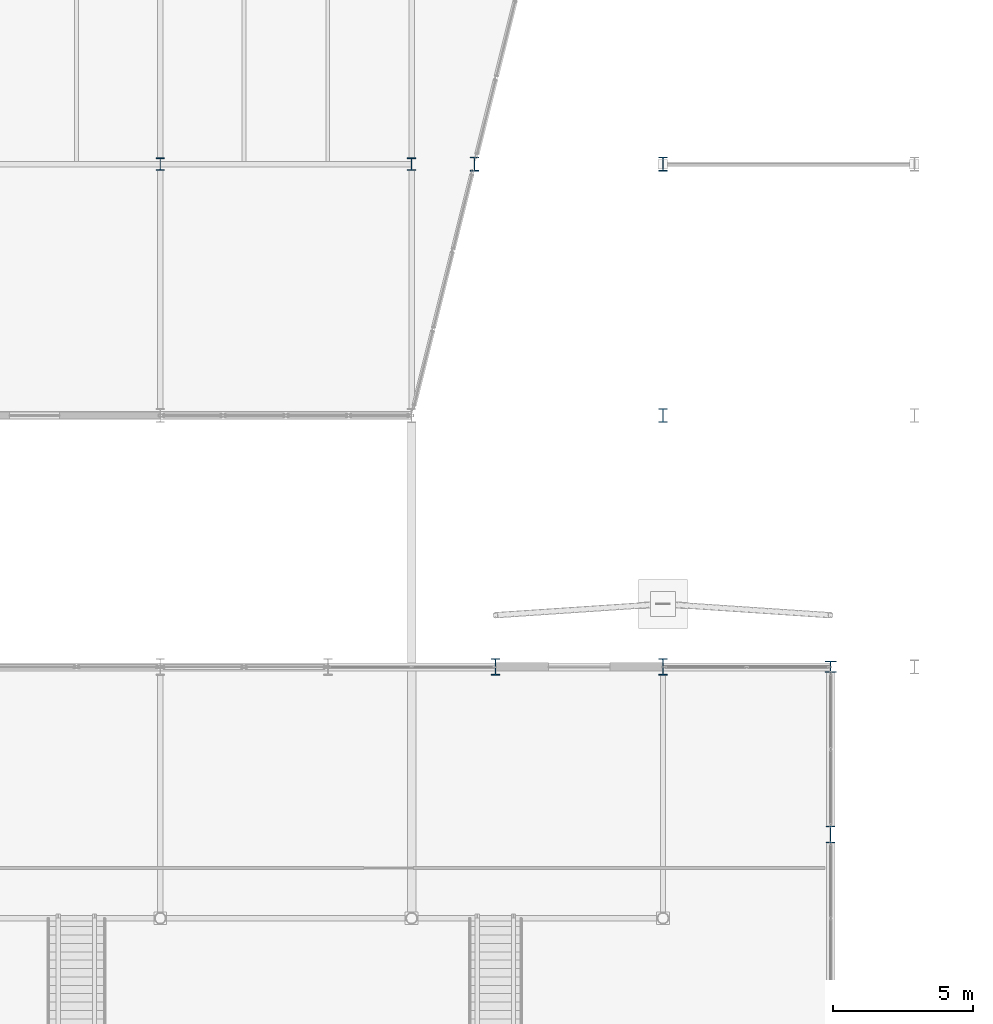
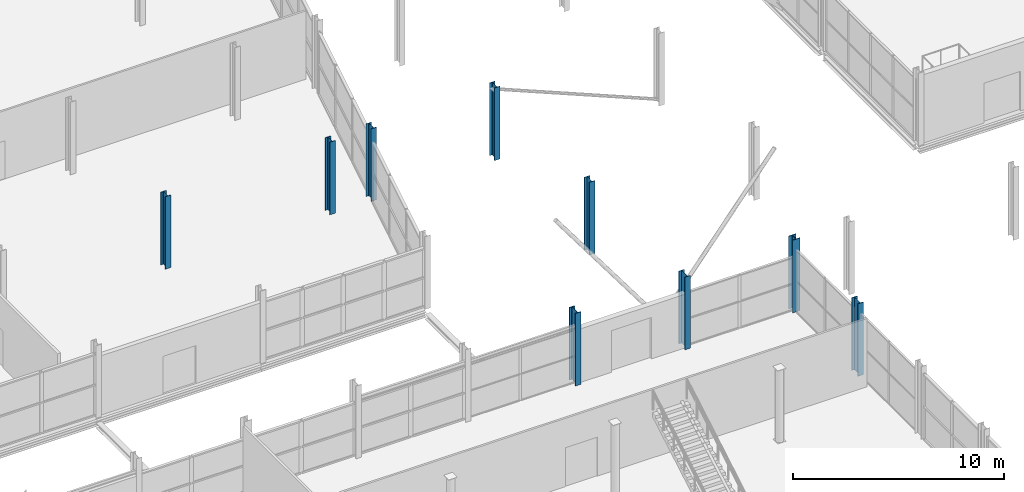
# One storey, part 5 of 140: 9 columns.
"""IFC4 building model written with IfcOpenShell, lengths in metres."""

from ifc_helpers import new_model, si_unit, direction, frame, origin, origin_2d, place, context, subcontext, project, spatial, i_section, extrude, material, material_profile, profile_set, type_object, element, save


model = new_model("IFC4")

# Units and contexts
model_context = context("Model", 3, precision=1e-05, world=origin(), true_north=direction((0.0, 1.0)))
body_context = subcontext(model_context, "Body", "Model", "MODEL_VIEW")
ifc_project = project(units=[si_unit("LENGTHUNIT", "METRE"), si_unit("AREAUNIT", "SQUARE_METRE"), si_unit("VOLUMEUNIT", "CUBIC_METRE"), si_unit("PLANEANGLEUNIT", "RADIAN"), si_unit("MASSUNIT", "GRAM", prefix="KILO")], contexts=[model_context])

# Site, building, storey
site_placement = place(None, origin())
site = spatial("IfcSite", under=ifc_project, at=site_placement, CompositionType="ELEMENT")
building_placement = place(site_placement, origin())
building = spatial("IfcBuilding", under=site, at=building_placement, Name="Deido Ridge Mobility Hub", CompositionType="ELEMENT")
storey_placement = place(building_placement, origin())
storey = spatial("IfcBuildingStorey", under=building, at=storey_placement, Name="L00", CompositionType="ELEMENT", Elevation=0.0)

# Columns
ifc_material = material(Name="Steel S355J2 EN 10025-2", Category="steel")
ifc_material_profile_1 = material_profile(ifc_material, i_section(OverallWidth=0.406005859375, OverallDepth=0.416015625, WebThickness=0.02392578125, FlangeThickness=0.0390625, FilletRadius=0.014892578125, at=origin_2d()), Name="HD 400x382")
ifc_profile_set_1 = profile_set([ifc_material_profile_1], Name="Steel S355J2 EN 10025-2")
column_type_1 = type_object("IfcColumnType", Name="COL-HD400-382", PredefinedType="COLUMN", material=ifc_profile_set_1)
column_placement = place(storey_placement, frame((60.0, 36.0, 0.0), z_axis=(0.0, 0.0, 1.0), x_axis=(1.0, 0.0, 0.0)))
element("IfcColumn", 1, at=column_placement, inside=storey, type_object=column_type_1, Name="Structural column MC3", PredefinedType="COLUMN", context=body_context, shape_type="SweptSolid", body=[
    extrude(i_section(OverallWidth=0.406005859375, OverallDepth=0.416015625, WebThickness=0.02392578125, FlangeThickness=0.0390625, FilletRadius=0.014892578125, at=origin_2d()), origin(), (0.0, 0.0, 1.0), 4.199951171875),
])
ifc_material_profile_2 = material_profile(ifc_material, i_section(OverallWidth=0.300048828125, OverallDepth=0.449951171875, WebThickness=0.013916015625, FlangeThickness=0.02587890625, FilletRadius=0.027099609375, at=origin_2d()), Name="HEB 450")
ifc_profile_set_2 = profile_set([ifc_material_profile_2], Name="Steel S355J2 EN 10025-2")
column_type_2 = type_object("IfcColumnType", Name="COL-HEB450", PredefinedType="COLUMN", material=ifc_profile_set_2)
for number, where, z_axis, x_axis, name in (
    (2, (36.0, 54.0, 0.0), (0.0, 0.0, 1.0), (1.0, 0.0, 0.0), "Structural column C6"),
    (3, (45.0, 54.0, 0.0), (0.0, 0.0, 1.0), (1.0, 0.0, 0.0), "Structural column C6"),
):
    element("IfcColumn", number, at=place(storey_placement, frame(where, z_axis=z_axis, x_axis=x_axis)), inside=storey, type_object=column_type_2, Name=name, PredefinedType="COLUMN", context=body_context, shape_type="SweptSolid", body=[
        extrude(i_section(OverallWidth=0.300048828125, OverallDepth=0.449951171875, WebThickness=0.013916015625, FlangeThickness=0.02587890625, FilletRadius=0.027099609375, at=origin_2d()), origin(), (0.0, 0.0, 1.0), 4.199951171875),
    ])
ifc_material_profile_3 = material_profile(ifc_material, i_section(OverallWidth=0.300048828125, OverallDepth=0.5, WebThickness=0.014404296875, FlangeThickness=0.028076171875, FilletRadius=0.027099609375, at=origin_2d()), Name="HEB 500")
ifc_profile_set_3 = profile_set([ifc_material_profile_3], Name="Steel S355J2 EN 10025-2")
column_type_3 = type_object("IfcColumnType", Name="COL-HEB500", PredefinedType="COLUMN", material=ifc_profile_set_3)
for number, where, z_axis, x_axis, name in (
    (4, (47.25, 54.0, 0.0), (0.0, 0.0, 1.0), (1.0, 0.0, 0.0), "Structural column C5"),
    (5, (54.0, 54.0, 0.0), (0.0, 0.0, 1.0), (1.0, 0.0, 0.0), "Structural column C5"),
    (6, (54.0, 45.0, 0.0), (0.0, 0.0, 1.0), (1.0, 0.0, 0.0), "Structural column C5"),
):
    element("IfcColumn", number, at=place(storey_placement, frame(where, z_axis=z_axis, x_axis=x_axis)), inside=storey, type_object=column_type_3, Name=name, PredefinedType="COLUMN", context=body_context, shape_type="SweptSolid", body=[
        extrude(i_section(OverallWidth=0.300048828125, OverallDepth=0.5, WebThickness=0.014404296875, FlangeThickness=0.028076171875, FilletRadius=0.027099609375, at=origin_2d()), origin(), (0.0, 0.0, 1.0), 4.199951171875),
    ])
ifc_material_profile_4 = material_profile(ifc_material, i_section(OverallWidth=0.300048828125, OverallDepth=0.60009765625, WebThickness=0.015380859375, FlangeThickness=0.030029296875, FilletRadius=0.027099609375, at=origin_2d()), Name="HEB 600")
ifc_profile_set_4 = profile_set([ifc_material_profile_4], Name="Steel S355J2 EN 10025-2")
column_type_4 = type_object("IfcColumnType", Name="COL-HEB600", PredefinedType="COLUMN", material=ifc_profile_set_4)
for number, where, z_axis, x_axis, name in (
    (7, (48.0, 36.0, 0.0), (0.0, 0.0, 1.0), (1.0, 0.0, 0.0), "Structural column C4"),
    (8, (54.0, 36.0, 0.0), (0.0, 0.0, 1.0), (1.0, 0.0, 0.0), "Structural column C4"),
    (9, (60.0, 30.0, 0.0), (0.0, 0.0, 1.0), (1.0, 0.0, 0.0), "Structural column C4"),
):
    element("IfcColumn", number, at=place(storey_placement, frame(where, z_axis=z_axis, x_axis=x_axis)), inside=storey, type_object=column_type_4, Name=name, PredefinedType="COLUMN", context=body_context, shape_type="SweptSolid", body=[
        extrude(i_section(OverallWidth=0.300048828125, OverallDepth=0.60009765625, WebThickness=0.015380859375, FlangeThickness=0.030029296875, FilletRadius=0.027099609375, at=origin_2d()), origin(), (0.0, 0.0, 1.0), 4.199951171875),
    ])

save(model, "model.ifc")
